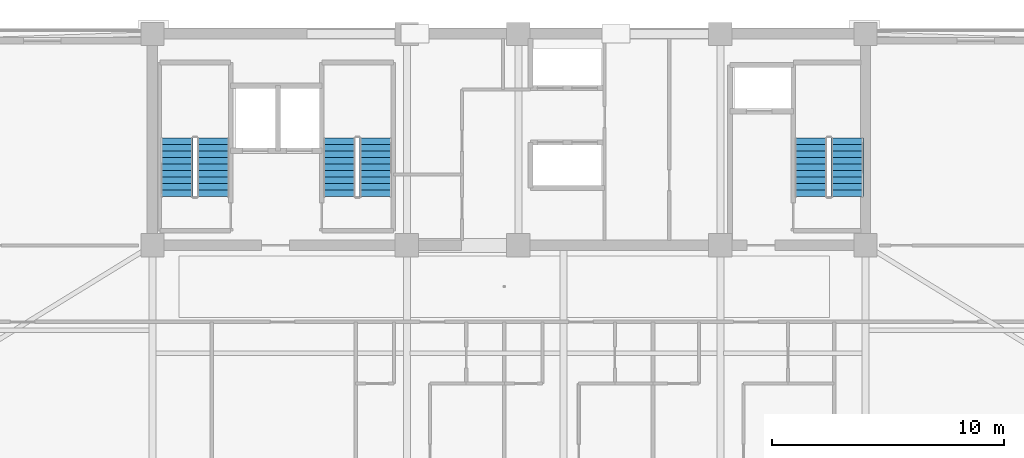
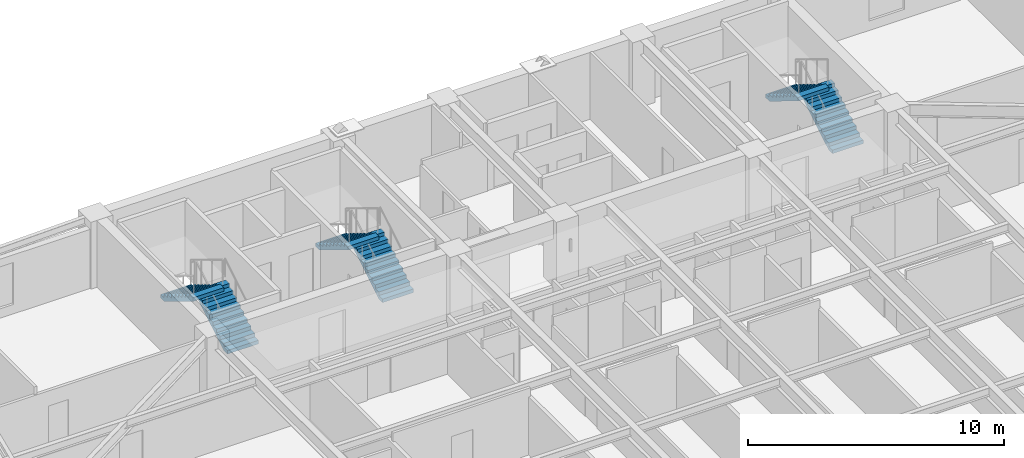
# One storey, part 12 of 19: 6 stair flights, 3 elements without a shape of their own.
"""IFC4 building model written with IfcOpenShell, lengths in metres."""

from ifc_helpers import new_model, si_unit, direction, frame, origin, place, context, subcontext, project, spatial, polyline, outline, extrude, material, type_object, element, aggregate, save


model = new_model("IFC4")

# Units and contexts
model_context = context("Model", 3, precision=1e-05, world=origin(), true_north=direction((0.0, 1.0)))
body_context = subcontext(model_context, "Body", "Model", "MODEL_VIEW")
ifc_project = project(units=[si_unit("LENGTHUNIT", "METRE"), si_unit("AREAUNIT", "SQUARE_METRE"), si_unit("VOLUMEUNIT", "CUBIC_METRE"), si_unit("PLANEANGLEUNIT", "RADIAN"), si_unit("MASSUNIT", "GRAM", prefix="KILO")], contexts=[model_context])

# Site, building, storey
site_placement = place(None, origin())
site = spatial("IfcSite", under=ifc_project, at=site_placement, CompositionType="ELEMENT")
building_placement = place(site_placement, origin())
building = spatial("IfcBuilding", under=site, at=building_placement, Name="Giltprow Tower", CompositionType="ELEMENT")
storey_placement = place(building_placement, frame((0.0, 0.0, 241.699951171875)))
storey = spatial("IfcBuildingStorey", under=building, at=storey_placement, Name="L61", CompositionType="ELEMENT", Elevation=241.699951171875)

# Stair, stair flights
ifc_material = material(Name="Concrete C40", Category="concrete")
stair_type_1 = type_object("IfcStairType", Name="STR-ST-1", PredefinedType="HALF_TURN_STAIR", material=ifc_material)
stair_1_placement = place(storey_placement, origin())
stair_1 = element("IfcStair", 1, at=stair_1_placement, inside=storey, type_object=stair_type_1, Name="L61 Core Exit Stair ST-1", PredefinedType="HALF_TURN_STAIR")
stair_flight_type_1 = type_object("IfcStairFlightType", Name="SFL-ST-1", PredefinedType="STRAIGHT", material=ifc_material)
stair_flight_1_placement = place(storey_placement, frame((22.4599609375, 39.550048828125, 0.0), z_axis=(0.0, 0.0, 1.0), x_axis=(0.0, 1.0, 0.0)))
stair_flight_1 = element("IfcStairFlight", 2, at=stair_flight_1_placement, type_object=stair_flight_type_1, Name="ST-1 flight 1", NumberOfRisers=10, NumberOfTreads=9, PredefinedType="STRAIGHT", RiserHeight=0.17, TreadLength=0.28, context=body_context, shape_type="SweptSolid", body=[
    extrude(outline(polyline([(0.0, 0.0), (0.0, 0.169921875), (0.280029296875, 0.169921875), (0.280029296875, 0.340087890625), (0.56005859375, 0.340087890625), (0.56005859375, 0.510009765625), (0.840087890625, 0.510009765625), (0.840087890625, 0.679931640625), (1.1201171875, 0.679931640625), (1.1201171875, 0.85009765625), (1.39990234375, 0.85009765625), (1.39990234375, 1.02001953125), (1.679931640625, 1.02001953125), (1.679931640625, 1.18994140625), (1.9599609375, 1.18994140625), (1.9599609375, 1.360107421875), (2.239990234375, 1.360107421875), (2.239990234375, 1.530029296875), (2.52001953125, 1.530029296875), (2.52001953125, 1.699951171875), (2.52001953125, 1.354736328125), (0.288818359375, 0.0), (0.0, 0.0)])), frame((0.0, 0.699951171875, 0.0), z_axis=(0.0, -1.0, 0.0), x_axis=(1.0, 0.0, 0.0)), (0.0, 0.0, 1.0), 1.39990234375),
])
stair_flight_2_placement = place(storey_placement, frame((20.89990234375, 42.070068359375, 1.699951171875), z_axis=(0.0, 0.0, 1.0), x_axis=(0.0, -1.0, 0.0)))
stair_flight_2 = element("IfcStairFlight", 3, at=stair_flight_2_placement, type_object=stair_flight_type_1, Name="ST-1 flight 2", NumberOfRisers=10, NumberOfTreads=9, PredefinedType="STRAIGHT", RiserHeight=0.17, TreadLength=0.28, context=body_context, shape_type="SweptSolid", body=[
    extrude(outline(polyline([(0.0, 0.0), (0.0, 0.169921875), (0.280029296875, 0.169921875), (0.280029296875, 0.340087890625), (0.56005859375, 0.340087890625), (0.56005859375, 0.510009765625), (0.840087890625, 0.510009765625), (0.840087890625, 0.679931640625), (1.1201171875, 0.679931640625), (1.1201171875, 0.85009765625), (1.39990234375, 0.85009765625), (1.39990234375, 1.02001953125), (1.679931640625, 1.02001953125), (1.679931640625, 1.18994140625), (1.9599609375, 1.18994140625), (1.9599609375, 1.360107421875), (2.239990234375, 1.360107421875), (2.239990234375, 1.530029296875), (2.52001953125, 1.530029296875), (2.52001953125, 1.699951171875), (2.52001953125, 1.354736328125), (0.288818359375, 0.0), (0.0, 0.0)])), frame((0.0, 0.699951171875, 0.0), z_axis=(0.0, -1.0, 0.0), x_axis=(1.0, 0.0, 0.0)), (0.0, 0.0, 1.0), 1.39990234375),
])
aggregate(stair_1, [stair_flight_1, stair_flight_2])

stair_type_2 = type_object("IfcStairType", Name="STR-ST-2", PredefinedType="HALF_TURN_STAIR", material=ifc_material)
stair_2_placement = place(storey_placement, origin())
stair_2 = element("IfcStair", 4, at=stair_2_placement, inside=storey, type_object=stair_type_2, Name="L61 Core Exit Stair ST-2", PredefinedType="HALF_TURN_STAIR")
stair_flight_type_2 = type_object("IfcStairFlightType", Name="SFL-ST-2", PredefinedType="STRAIGHT", material=ifc_material)
stair_flight_3_placement = place(storey_placement, frame((29.4599609375, 39.550048828125, 0.0), z_axis=(0.0, 0.0, 1.0), x_axis=(0.0, 1.0, 0.0)))
stair_flight_3 = element("IfcStairFlight", 5, at=stair_flight_3_placement, type_object=stair_flight_type_2, Name="ST-2 flight 1", NumberOfRisers=10, NumberOfTreads=9, PredefinedType="STRAIGHT", RiserHeight=0.17, TreadLength=0.28, context=body_context, shape_type="SweptSolid", body=[
    extrude(outline(polyline([(0.0, 0.0), (0.0, 0.169921875), (0.280029296875, 0.169921875), (0.280029296875, 0.340087890625), (0.56005859375, 0.340087890625), (0.56005859375, 0.510009765625), (0.840087890625, 0.510009765625), (0.840087890625, 0.679931640625), (1.1201171875, 0.679931640625), (1.1201171875, 0.85009765625), (1.39990234375, 0.85009765625), (1.39990234375, 1.02001953125), (1.679931640625, 1.02001953125), (1.679931640625, 1.18994140625), (1.9599609375, 1.18994140625), (1.9599609375, 1.360107421875), (2.239990234375, 1.360107421875), (2.239990234375, 1.530029296875), (2.52001953125, 1.530029296875), (2.52001953125, 1.699951171875), (2.52001953125, 1.354736328125), (0.288818359375, 0.0), (0.0, 0.0)])), frame((0.0, 0.699951171875, 0.0), z_axis=(0.0, -1.0, 0.0), x_axis=(1.0, 0.0, 0.0)), (0.0, 0.0, 1.0), 1.39990234375),
])
stair_flight_4_placement = place(storey_placement, frame((27.89990234375, 42.070068359375, 1.699951171875), z_axis=(0.0, 0.0, 1.0), x_axis=(0.0, -1.0, 0.0)))
stair_flight_4 = element("IfcStairFlight", 6, at=stair_flight_4_placement, type_object=stair_flight_type_2, Name="ST-2 flight 2", NumberOfRisers=10, NumberOfTreads=9, PredefinedType="STRAIGHT", RiserHeight=0.17, TreadLength=0.28, context=body_context, shape_type="SweptSolid", body=[
    extrude(outline(polyline([(0.0, 0.0), (0.0, 0.169921875), (0.280029296875, 0.169921875), (0.280029296875, 0.340087890625), (0.56005859375, 0.340087890625), (0.56005859375, 0.510009765625), (0.840087890625, 0.510009765625), (0.840087890625, 0.679931640625), (1.1201171875, 0.679931640625), (1.1201171875, 0.85009765625), (1.39990234375, 0.85009765625), (1.39990234375, 1.02001953125), (1.679931640625, 1.02001953125), (1.679931640625, 1.18994140625), (1.9599609375, 1.18994140625), (1.9599609375, 1.360107421875), (2.239990234375, 1.360107421875), (2.239990234375, 1.530029296875), (2.52001953125, 1.530029296875), (2.52001953125, 1.699951171875), (2.52001953125, 1.354736328125), (0.288818359375, 0.0), (0.0, 0.0)])), frame((0.0, 0.699951171875, 0.0), z_axis=(0.0, -1.0, 0.0), x_axis=(1.0, 0.0, 0.0)), (0.0, 0.0, 1.0), 1.39990234375),
])
aggregate(stair_2, [stair_flight_3, stair_flight_4])

stair_type_3 = type_object("IfcStairType", Name="STR-ST-3", PredefinedType="HALF_TURN_STAIR", material=ifc_material)
stair_3_placement = place(storey_placement, origin())
stair_3 = element("IfcStair", 7, at=stair_3_placement, inside=storey, type_object=stair_type_3, Name="L61 Core Exit Stair ST-3", PredefinedType="HALF_TURN_STAIR")
stair_flight_type_3 = type_object("IfcStairFlightType", Name="SFL-ST-3", PredefinedType="STRAIGHT", material=ifc_material)
stair_flight_5_placement = place(storey_placement, frame((49.760009765625, 39.550048828125, 0.0), z_axis=(0.0, 0.0, 1.0), x_axis=(0.0, 1.0, 0.0)))
stair_flight_5 = element("IfcStairFlight", 8, at=stair_flight_5_placement, type_object=stair_flight_type_3, Name="ST-3 flight 1", NumberOfRisers=10, NumberOfTreads=9, PredefinedType="STRAIGHT", RiserHeight=0.17, TreadLength=0.28, context=body_context, shape_type="SweptSolid", body=[
    extrude(outline(polyline([(0.0, 0.0), (0.0, 0.169921875), (0.280029296875, 0.169921875), (0.280029296875, 0.340087890625), (0.56005859375, 0.340087890625), (0.56005859375, 0.510009765625), (0.840087890625, 0.510009765625), (0.840087890625, 0.679931640625), (1.1201171875, 0.679931640625), (1.1201171875, 0.85009765625), (1.39990234375, 0.85009765625), (1.39990234375, 1.02001953125), (1.679931640625, 1.02001953125), (1.679931640625, 1.18994140625), (1.9599609375, 1.18994140625), (1.9599609375, 1.360107421875), (2.239990234375, 1.360107421875), (2.239990234375, 1.530029296875), (2.52001953125, 1.530029296875), (2.52001953125, 1.699951171875), (2.52001953125, 1.354736328125), (0.288818359375, 0.0), (0.0, 0.0)])), frame((0.0, 0.699951171875, 0.0), z_axis=(0.0, -1.0, 0.0), x_axis=(1.0, 0.0, 0.0)), (0.0, 0.0, 1.0), 1.39990234375),
])
stair_flight_6_placement = place(storey_placement, frame((48.199951171875, 42.070068359375, 1.699951171875), z_axis=(0.0, 0.0, 1.0), x_axis=(0.0, -1.0, 0.0)))
stair_flight_6 = element("IfcStairFlight", 9, at=stair_flight_6_placement, type_object=stair_flight_type_3, Name="ST-3 flight 2", NumberOfRisers=10, NumberOfTreads=9, PredefinedType="STRAIGHT", RiserHeight=0.17, TreadLength=0.28, context=body_context, shape_type="SweptSolid", body=[
    extrude(outline(polyline([(0.0, 0.0), (0.0, 0.169921875), (0.280029296875, 0.169921875), (0.280029296875, 0.340087890625), (0.56005859375, 0.340087890625), (0.56005859375, 0.510009765625), (0.840087890625, 0.510009765625), (0.840087890625, 0.679931640625), (1.1201171875, 0.679931640625), (1.1201171875, 0.85009765625), (1.39990234375, 0.85009765625), (1.39990234375, 1.02001953125), (1.679931640625, 1.02001953125), (1.679931640625, 1.18994140625), (1.9599609375, 1.18994140625), (1.9599609375, 1.360107421875), (2.239990234375, 1.360107421875), (2.239990234375, 1.530029296875), (2.52001953125, 1.530029296875), (2.52001953125, 1.699951171875), (2.52001953125, 1.354736328125), (0.288818359375, 0.0), (0.0, 0.0)])), frame((0.0, 0.699951171875, 0.0), z_axis=(0.0, -1.0, 0.0), x_axis=(1.0, 0.0, 0.0)), (0.0, 0.0, 1.0), 1.39990234375),
])
aggregate(stair_3, [stair_flight_5, stair_flight_6])

save(model, "model.ifc")
